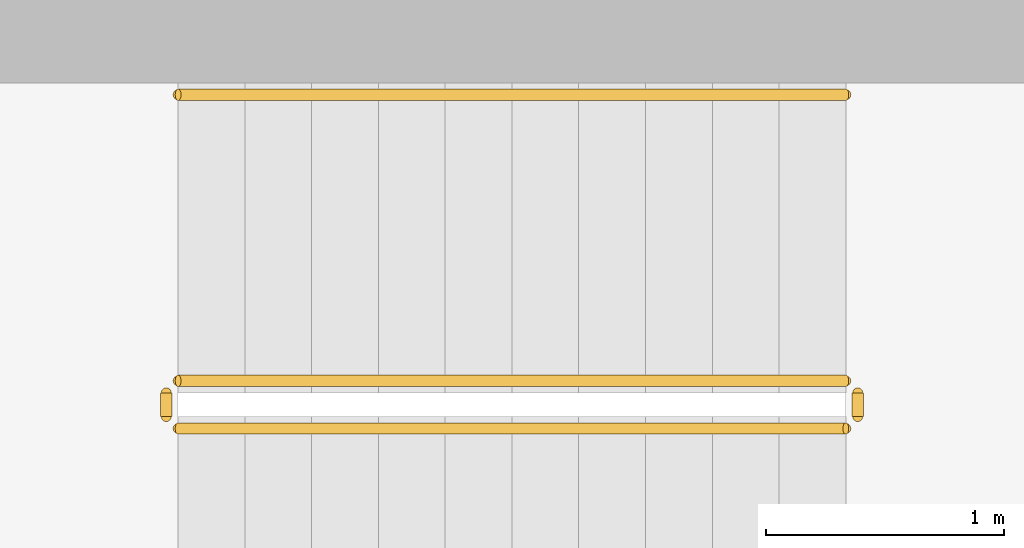
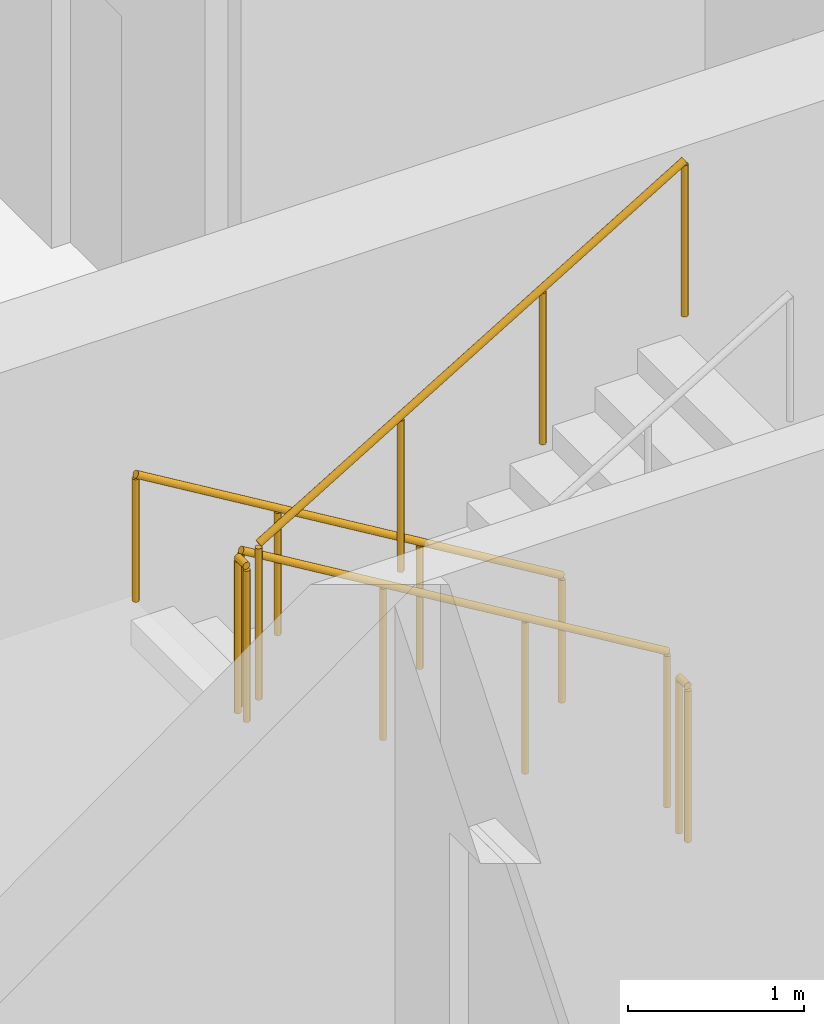
# One storey, part 18 of 23: 5 railings.
"""IFC4 building model written with IfcOpenShell, lengths in metres."""

from ifc_helpers import new_model, si_unit, direction, frame, origin, origin_2d, place, context, subcontext, project, spatial, circle, extrude, material, type_object, element, save


model = new_model("IFC4")

# Units and contexts
model_context = context("Model", 3, precision=1e-05, world=origin(), true_north=direction((0.0, 1.0)))
body_context = subcontext(model_context, "Body", "Model", "MODEL_VIEW")
ifc_project = project(units=[si_unit("LENGTHUNIT", "METRE"), si_unit("AREAUNIT", "SQUARE_METRE"), si_unit("VOLUMEUNIT", "CUBIC_METRE"), si_unit("PLANEANGLEUNIT", "RADIAN"), si_unit("MASSUNIT", "GRAM", prefix="KILO")], contexts=[model_context])

# Site, building, storey
site_placement = place(None, origin())
site = spatial("IfcSite", under=ifc_project, at=site_placement, CompositionType="ELEMENT")
building_placement = place(site_placement, origin())
building = spatial("IfcBuilding", under=site, at=building_placement, Name="Ogive Portal Towers", CompositionType="ELEMENT")
storey_placement = place(building_placement, frame((0.0, 0.0, 175.5)))
storey = spatial("IfcBuildingStorey", under=building, at=storey_placement, Name="L43", CompositionType="ELEMENT", Elevation=175.5)

# Railings
ifc_material_1 = material(Name="Stainless steel balustrade", Category="steel")
railing_type_1 = type_object("IfcRailingType", Name="INT-GUARD", PredefinedType="GUARDRAIL", material=ifc_material_1)
railing_1_placement = place(storey_placement, frame((37.449951171875, 37.800048828125, 0.168212890625)))
element("IfcRailing", 1, at=railing_1_placement, inside=storey, type_object=railing_type_1, Name="L43 ST-A1 stair guard 1", PredefinedType="GUARDRAIL", context=body_context, shape_type="SweptSolid", body=[
    extrude(circle(Radius=0.02392578125, at=origin_2d()), frame((0.0, 0.0, 1.076171875), z_axis=(-0.857242210791, 0.0, 0.514913383045), x_axis=(0.0, -1.0, 0.0)), (0.0, 0.0, 1.0), 3.266357421875),
    extrude(circle(Radius=0.02099609375, at=origin_2d()), origin(), (0.0, 0.0, 1.0), 1.052001953125),
    extrude(circle(Radius=0.02099609375, at=origin_2d()), frame((-0.933349609375, 0.0, 0.560546875)), (0.0, 0.0, 1.0), 1.052001953125),
    extrude(circle(Radius=0.02099609375, at=origin_2d()), frame((-1.86669921875, 0.0, 1.121337890625)), (0.0, 0.0, 1.0), 1.052001953125),
    extrude(circle(Radius=0.02099609375, at=origin_2d()), frame((-2.800048828125, 0.0, 1.681884765625)), (0.0, 0.0, 1.0), 1.052001953125),
])
railing_2_placement = place(storey_placement, frame((34.60009765625, 37.75, 1.85009765625)))
element("IfcRailing", 2, at=railing_2_placement, inside=storey, type_object=railing_type_1, Name="L43 ST-A1 stair guard 2", PredefinedType="GUARDRAIL", context=body_context, shape_type="SweptSolid", body=[
    extrude(circle(Radius=0.02392578125, at=origin_2d()), frame((0.0, 0.0, 1.076171875), z_axis=(0.0, -1.0, 0.0), x_axis=(1.0, 0.0, 0.0)), (0.0, 0.0, 1.0), 0.10009765625),
    extrude(circle(Radius=0.02099609375, at=origin_2d()), origin(), (0.0, 0.0, 1.0), 1.052001953125),
    extrude(circle(Radius=0.02099609375, at=origin_2d()), frame((0.0, -0.10009765625, 0.0)), (0.0, 0.0, 1.0), 1.052001953125),
])
railing_3_placement = place(storey_placement, frame((34.64990234375, 37.60009765625, 2.01806640625)))
element("IfcRailing", 3, at=railing_3_placement, inside=storey, type_object=railing_type_1, Name="L43 ST-A1 stair guard 3", PredefinedType="GUARDRAIL", context=body_context, shape_type="SweptSolid", body=[
    extrude(circle(Radius=0.02392578125, at=origin_2d()), frame((0.0, 0.0, 1.076171875), z_axis=(0.857242210791, 0.0, 0.514913383045), x_axis=(0.0, 1.0, 0.0)), (0.0, 0.0, 1.0), 3.266357421875),
    extrude(circle(Radius=0.02099609375, at=origin_2d()), origin(), (0.0, 0.0, 1.0), 1.052001953125),
    extrude(circle(Radius=0.02099609375, at=origin_2d()), frame((0.933349609375, 0.0, 0.560546875)), (0.0, 0.0, 1.0), 1.052001953125),
    extrude(circle(Radius=0.02099609375, at=origin_2d()), frame((1.86669921875, 0.0, 1.121337890625)), (0.0, 0.0, 1.0), 1.052001953125),
    extrude(circle(Radius=0.02099609375, at=origin_2d()), frame((2.800048828125, 0.0, 1.681884765625)), (0.0, 0.0, 1.0), 1.052001953125),
])
railing_4_placement = place(storey_placement, frame((37.5, 37.75, 0.0)))
element("IfcRailing", 4, at=railing_4_placement, inside=storey, type_object=railing_type_1, Name="L43 ST-A1 stair guard 4", PredefinedType="GUARDRAIL", context=body_context, shape_type="SweptSolid", body=[
    extrude(circle(Radius=0.02392578125, at=origin_2d()), frame((0.0, 0.0, 1.076171875), z_axis=(0.0, -1.0, 0.0), x_axis=(1.0, 0.0, 0.0)), (0.0, 0.0, 1.0), 0.10009765625),
    extrude(circle(Radius=0.02099609375, at=origin_2d()), origin(), (0.0, 0.0, 1.0), 1.052001953125),
    extrude(circle(Radius=0.02099609375, at=origin_2d()), frame((0.0, -0.10009765625, 0.0)), (0.0, 0.0, 1.0), 1.052001953125),
])
ifc_material_2 = material(Name="Stainless steel handrail", Category="steel")
railing_type_2 = type_object("IfcRailingType", Name="INT-HANDRAIL", PredefinedType="HANDRAIL", material=ifc_material_2)
railing_5_placement = place(storey_placement, frame((37.449951171875, 39.0, 0.168212890625)))
element("IfcRailing", 5, at=railing_5_placement, inside=storey, type_object=railing_type_2, Name="L43 ST-A1 stair handrail 1", PredefinedType="HANDRAIL", context=body_context, shape_type="SweptSolid", body=[
    extrude(circle(Radius=0.02392578125, at=origin_2d()), frame((0.0, 0.0, 0.8759765625), z_axis=(-0.857242210791, 0.0, 0.514913383045), x_axis=(0.0, -1.0, 0.0)), (0.0, 0.0, 1.0), 3.266357421875),
    extrude(circle(Radius=0.02099609375, at=origin_2d()), origin(), (0.0, 0.0, 1.0), 0.851806640625),
    extrude(circle(Radius=0.02099609375, at=origin_2d()), frame((-0.933349609375, 0.0, 0.560546875)), (0.0, 0.0, 1.0), 0.851806640625),
    extrude(circle(Radius=0.02099609375, at=origin_2d()), frame((-1.86669921875, 0.0, 1.121337890625)), (0.0, 0.0, 1.0), 0.851806640625),
    extrude(circle(Radius=0.02099609375, at=origin_2d()), frame((-2.800048828125, 0.0, 1.681884765625)), (0.0, 0.0, 1.0), 0.851806640625),
])

save(model, "model.ifc")
